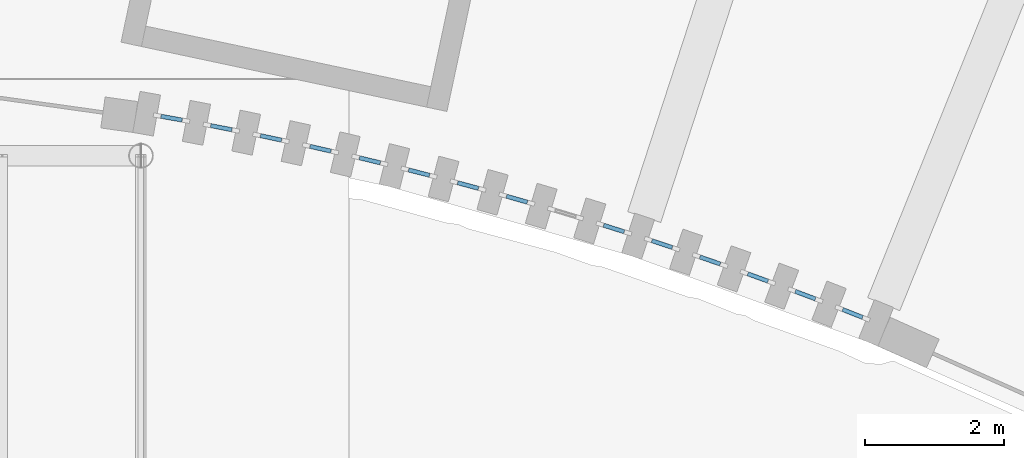
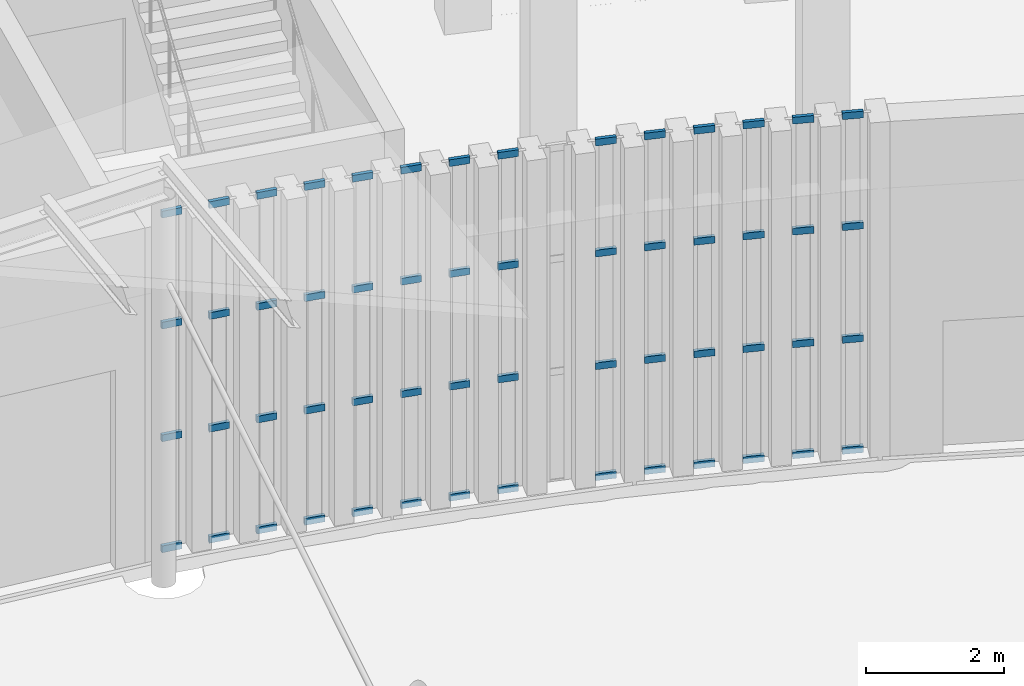
# One storey, part 68 of 155: 56 members, 14 elements without a shape of their own.
"""IFC4 building model written with IfcOpenShell, lengths in metres."""

from ifc_helpers import new_model, si_unit, direction, frame, origin, origin_2d, place, context, subcontext, project, spatial, rectangle, extrude, material, layer, layer_set, material_profile, profile_set, type_object, element, aggregate, save


model = new_model("IFC4")

# Units and contexts
model_context = context("Model", 3, precision=1e-05, world=origin(), true_north=direction((0.0, 1.0)))
body_context = subcontext(model_context, "Body", "Model", "MODEL_VIEW")
ifc_project = project(units=[si_unit("LENGTHUNIT", "METRE"), si_unit("AREAUNIT", "SQUARE_METRE"), si_unit("VOLUMEUNIT", "CUBIC_METRE"), si_unit("PLANEANGLEUNIT", "RADIAN"), si_unit("MASSUNIT", "GRAM", prefix="KILO")], contexts=[model_context])

# Site, building, storey
site_placement = place(None, origin())
site = spatial("IfcSite", under=ifc_project, at=site_placement, CompositionType="ELEMENT")
building_placement = place(site_placement, origin())
building = spatial("IfcBuilding", under=site, at=building_placement, Name="Lunette Opera House", CompositionType="ELEMENT")
storey_placement = place(building_placement, origin())
storey = spatial("IfcBuildingStorey", under=building, at=storey_placement, Name="L00", CompositionType="ELEMENT", Elevation=0.0)

# Curtain wall, members
ifc_material_1 = material(Name="Aluminium", Category="aluminium")
ifc_layer = layer(ifc_material_1, 0.1201171875)
ifc_layer_set = layer_set([ifc_layer], Name="Aluminium")
curtain_wall_type = type_object("IfcCurtainWallType", Name="SLOT CURTAIN WALL", PredefinedType="NOTDEFINED", material=ifc_layer_set)
curtain_wall_1_placement = place(storey_placement, origin())
curtain_wall_1 = element("IfcCurtainWall", 1, at=curtain_wall_1_placement, inside=storey, type_object=curtain_wall_type, Name="Slot Curtain Wall CS046 L00", PredefinedType="NOTDEFINED")
ifc_material_2 = material(Name="Aluminium", Category="aluminium")
ifc_material_profile = material_profile(ifc_material_2, rectangle(XDim=0.06005859375, YDim=0.1201171875, at=origin_2d()), Name="TRANSOM 60 X 120")
ifc_profile_set = profile_set([ifc_material_profile], Name="Aluminium")
member_type = type_object("IfcMemberType", Name="TRANSOM 60 X 120", PredefinedType="USERDEFINED", material=ifc_profile_set)
member_1_placement = place(storey_placement, frame((105.2880859375, 51.46826171875, 0.030029296875), z_axis=(0.983982796931, -0.178263443658, 0.0), x_axis=(0.178263443658, 0.983982796931, 0.0)))
member_1 = element("IfcMember", 2, at=member_1_placement, type_object=member_type, Name="FC-X2091 transom 1.1", ObjectType="TRANSOM", PredefinedType="USERDEFINED", context=body_context, shape_type="SweptSolid", body=[
    extrude(rectangle(XDim=0.06005859375, YDim=0.1201171875, at=origin_2d()), origin(), (0.0, 0.0, 1.0), 0.310791015625),
])
member_2_placement = place(storey_placement, frame((105.2880859375, 51.46826171875, 2.0), z_axis=(0.983982796931, -0.178263443658, 0.0), x_axis=(0.178263443658, 0.983982796931, 0.0)))
member_2 = element("IfcMember", 3, at=member_2_placement, type_object=member_type, Name="FC-X2091 transom 1.2", ObjectType="TRANSOM", PredefinedType="USERDEFINED", context=body_context, shape_type="SweptSolid", body=[
    extrude(rectangle(XDim=0.06005859375, YDim=0.1201171875, at=origin_2d()), origin(), (0.0, 0.0, 1.0), 0.310791015625),
])
member_3_placement = place(storey_placement, frame((105.2880859375, 51.46826171875, 4.0), z_axis=(0.983982796931, -0.178263443658, 0.0), x_axis=(0.178263443658, 0.983982796931, 0.0)))
member_3 = element("IfcMember", 4, at=member_3_placement, type_object=member_type, Name="FC-X2091 transom 1.3", ObjectType="TRANSOM", PredefinedType="USERDEFINED", context=body_context, shape_type="SweptSolid", body=[
    extrude(rectangle(XDim=0.06005859375, YDim=0.1201171875, at=origin_2d()), origin(), (0.0, 0.0, 1.0), 0.310791015625),
])
member_4_placement = place(storey_placement, frame((105.2880859375, 51.46826171875, 5.969970703125), z_axis=(0.983982796931, -0.178263443658, 0.0), x_axis=(0.178263443658, 0.983982796931, 0.0)))
member_4 = element("IfcMember", 5, at=member_4_placement, type_object=member_type, Name="FC-X2091 transom 1.4", ObjectType="TRANSOM", PredefinedType="USERDEFINED", context=body_context, shape_type="SweptSolid", body=[
    extrude(rectangle(XDim=0.06005859375, YDim=0.1201171875, at=origin_2d()), origin(), (0.0, 0.0, 1.0), 0.310791015625),
])
aggregate(curtain_wall_1, [member_1, member_2, member_3, member_4])

curtain_wall_2_placement = place(storey_placement, origin())
curtain_wall_2 = element("IfcCurtainWall", 6, at=curtain_wall_2_placement, inside=storey, type_object=curtain_wall_type, Name="Slot Curtain Wall CS047 L00", PredefinedType="NOTDEFINED")
member_5_placement = place(storey_placement, frame((106.005859375, 51.33349609375, 0.030029296875), z_axis=(0.981211567536, -0.192934858785, 0.0), x_axis=(0.192934858785, 0.981211567536, 0.0)))
member_5 = element("IfcMember", 7, at=member_5_placement, type_object=member_type, Name="FC-X2093 transom 1.1", ObjectType="TRANSOM", PredefinedType="USERDEFINED", context=body_context, shape_type="SweptSolid", body=[
    extrude(rectangle(XDim=0.06005859375, YDim=0.1201171875, at=origin_2d()), origin(), (0.0, 0.0, 1.0), 0.31005859375),
])
member_6_placement = place(storey_placement, frame((106.005859375, 51.33349609375, 2.0), z_axis=(0.981211567536, -0.192934858785, 0.0), x_axis=(0.192934858785, 0.981211567536, 0.0)))
member_6 = element("IfcMember", 8, at=member_6_placement, type_object=member_type, Name="FC-X2093 transom 1.2", ObjectType="TRANSOM", PredefinedType="USERDEFINED", context=body_context, shape_type="SweptSolid", body=[
    extrude(rectangle(XDim=0.06005859375, YDim=0.1201171875, at=origin_2d()), origin(), (0.0, 0.0, 1.0), 0.31005859375),
])
member_7_placement = place(storey_placement, frame((106.005859375, 51.33349609375, 4.0), z_axis=(0.981211567536, -0.192934858785, 0.0), x_axis=(0.192934858785, 0.981211567536, 0.0)))
member_7 = element("IfcMember", 9, at=member_7_placement, type_object=member_type, Name="FC-X2093 transom 1.3", ObjectType="TRANSOM", PredefinedType="USERDEFINED", context=body_context, shape_type="SweptSolid", body=[
    extrude(rectangle(XDim=0.06005859375, YDim=0.1201171875, at=origin_2d()), origin(), (0.0, 0.0, 1.0), 0.31005859375),
])
member_8_placement = place(storey_placement, frame((106.005859375, 51.33349609375, 5.969970703125), z_axis=(0.981211567536, -0.192934858785, 0.0), x_axis=(0.192934858785, 0.981211567536, 0.0)))
member_8 = element("IfcMember", 10, at=member_8_placement, type_object=member_type, Name="FC-X2093 transom 1.4", ObjectType="TRANSOM", PredefinedType="USERDEFINED", context=body_context, shape_type="SweptSolid", body=[
    extrude(rectangle(XDim=0.06005859375, YDim=0.1201171875, at=origin_2d()), origin(), (0.0, 0.0, 1.0), 0.31005859375),
])
aggregate(curtain_wall_2, [member_5, member_6, member_7, member_8])

curtain_wall_3_placement = place(storey_placement, origin())
curtain_wall_3 = element("IfcCurtainWall", 11, at=curtain_wall_3_placement, inside=storey, type_object=curtain_wall_type, Name="Slot Curtain Wall CS048 L00", PredefinedType="NOTDEFINED")
member_9_placement = place(storey_placement, frame((106.7216796875, 51.1884765625, 0.030029296875), z_axis=(0.978533089952, -0.206089766533, 0.0), x_axis=(0.206089766533, 0.978533089952, 0.0)))
member_9 = element("IfcMember", 12, at=member_9_placement, type_object=member_type, Name="FC-X2095 transom 1.1", ObjectType="TRANSOM", PredefinedType="USERDEFINED", context=body_context, shape_type="SweptSolid", body=[
    extrude(rectangle(XDim=0.06005859375, YDim=0.1201171875, at=origin_2d()), origin(), (0.0, 0.0, 1.0), 0.310302734375),
])
member_10_placement = place(storey_placement, frame((106.7216796875, 51.1884765625, 2.0), z_axis=(0.978533089952, -0.206089766533, 0.0), x_axis=(0.206089766533, 0.978533089952, 0.0)))
member_10 = element("IfcMember", 13, at=member_10_placement, type_object=member_type, Name="FC-X2095 transom 1.2", ObjectType="TRANSOM", PredefinedType="USERDEFINED", context=body_context, shape_type="SweptSolid", body=[
    extrude(rectangle(XDim=0.06005859375, YDim=0.1201171875, at=origin_2d()), origin(), (0.0, 0.0, 1.0), 0.310302734375),
])
member_11_placement = place(storey_placement, frame((106.7216796875, 51.1884765625, 4.0), z_axis=(0.978533089952, -0.206089766533, 0.0), x_axis=(0.206089766533, 0.978533089952, 0.0)))
member_11 = element("IfcMember", 14, at=member_11_placement, type_object=member_type, Name="FC-X2095 transom 1.3", ObjectType="TRANSOM", PredefinedType="USERDEFINED", context=body_context, shape_type="SweptSolid", body=[
    extrude(rectangle(XDim=0.06005859375, YDim=0.1201171875, at=origin_2d()), origin(), (0.0, 0.0, 1.0), 0.310302734375),
])
member_12_placement = place(storey_placement, frame((106.7216796875, 51.1884765625, 5.969970703125), z_axis=(0.978533089952, -0.206089766533, 0.0), x_axis=(0.206089766533, 0.978533089952, 0.0)))
member_12 = element("IfcMember", 15, at=member_12_placement, type_object=member_type, Name="FC-X2095 transom 1.4", ObjectType="TRANSOM", PredefinedType="USERDEFINED", context=body_context, shape_type="SweptSolid", body=[
    extrude(rectangle(XDim=0.06005859375, YDim=0.1201171875, at=origin_2d()), origin(), (0.0, 0.0, 1.0), 0.310302734375),
])
aggregate(curtain_wall_3, [member_9, member_10, member_11, member_12])

curtain_wall_4_placement = place(storey_placement, origin())
curtain_wall_4 = element("IfcCurtainWall", 16, at=curtain_wall_4_placement, inside=storey, type_object=curtain_wall_type, Name="Slot Curtain Wall CS049 L00", PredefinedType="NOTDEFINED")
member_13_placement = place(storey_placement, frame((107.435546875, 51.03466796875, 0.030029296875), z_axis=(0.974799972142, -0.223080734962, 0.0), x_axis=(0.223080734962, 0.974799972142, 0.0)))
member_13 = element("IfcMember", 17, at=member_13_placement, type_object=member_type, Name="FC-X2097 transom 1.1", ObjectType="TRANSOM", PredefinedType="USERDEFINED", context=body_context, shape_type="SweptSolid", body=[
    extrude(rectangle(XDim=0.06005859375, YDim=0.1201171875, at=origin_2d()), origin(), (0.0, 0.0, 1.0), 0.310791015625),
])
member_14_placement = place(storey_placement, frame((107.435546875, 51.03466796875, 2.0), z_axis=(0.974799972142, -0.223080734962, 0.0), x_axis=(0.223080734962, 0.974799972142, 0.0)))
member_14 = element("IfcMember", 18, at=member_14_placement, type_object=member_type, Name="FC-X2097 transom 1.2", ObjectType="TRANSOM", PredefinedType="USERDEFINED", context=body_context, shape_type="SweptSolid", body=[
    extrude(rectangle(XDim=0.06005859375, YDim=0.1201171875, at=origin_2d()), origin(), (0.0, 0.0, 1.0), 0.310791015625),
])
member_15_placement = place(storey_placement, frame((107.435546875, 51.03466796875, 4.0), z_axis=(0.974799972142, -0.223080734962, 0.0), x_axis=(0.223080734962, 0.974799972142, 0.0)))
member_15 = element("IfcMember", 19, at=member_15_placement, type_object=member_type, Name="FC-X2097 transom 1.3", ObjectType="TRANSOM", PredefinedType="USERDEFINED", context=body_context, shape_type="SweptSolid", body=[
    extrude(rectangle(XDim=0.06005859375, YDim=0.1201171875, at=origin_2d()), origin(), (0.0, 0.0, 1.0), 0.310791015625),
])
member_16_placement = place(storey_placement, frame((107.435546875, 51.03466796875, 5.969970703125), z_axis=(0.974799972142, -0.223080734962, 0.0), x_axis=(0.223080734962, 0.974799972142, 0.0)))
member_16 = element("IfcMember", 20, at=member_16_placement, type_object=member_type, Name="FC-X2097 transom 1.4", ObjectType="TRANSOM", PredefinedType="USERDEFINED", context=body_context, shape_type="SweptSolid", body=[
    extrude(rectangle(XDim=0.06005859375, YDim=0.1201171875, at=origin_2d()), origin(), (0.0, 0.0, 1.0), 0.310791015625),
])
aggregate(curtain_wall_4, [member_13, member_14, member_15, member_16])

curtain_wall_5_placement = place(storey_placement, origin())
curtain_wall_5 = element("IfcCurtainWall", 21, at=curtain_wall_5_placement, inside=storey, type_object=curtain_wall_type, Name="Slot Curtain Wall CS050 L00", PredefinedType="NOTDEFINED")
member_17_placement = place(storey_placement, frame((108.147216796875, 50.869873046875, 0.030029296875), z_axis=(0.972100778167, -0.234563588578, 0.0), x_axis=(0.234563588578, 0.972100778167, 0.0)))
member_17 = element("IfcMember", 22, at=member_17_placement, type_object=member_type, Name="FC-X2099 transom 1.1", ObjectType="TRANSOM", PredefinedType="USERDEFINED", context=body_context, shape_type="SweptSolid", body=[
    extrude(rectangle(XDim=0.06005859375, YDim=0.1201171875, at=origin_2d()), origin(), (0.0, 0.0, 1.0), 0.31005859375),
])
member_18_placement = place(storey_placement, frame((108.147216796875, 50.869873046875, 2.0), z_axis=(0.972100778167, -0.234563588578, 0.0), x_axis=(0.234563588578, 0.972100778167, 0.0)))
member_18 = element("IfcMember", 23, at=member_18_placement, type_object=member_type, Name="FC-X2099 transom 1.2", ObjectType="TRANSOM", PredefinedType="USERDEFINED", context=body_context, shape_type="SweptSolid", body=[
    extrude(rectangle(XDim=0.06005859375, YDim=0.1201171875, at=origin_2d()), origin(), (0.0, 0.0, 1.0), 0.31005859375),
])
member_19_placement = place(storey_placement, frame((108.147216796875, 50.869873046875, 4.0), z_axis=(0.972100778167, -0.234563588578, 0.0), x_axis=(0.234563588578, 0.972100778167, 0.0)))
member_19 = element("IfcMember", 24, at=member_19_placement, type_object=member_type, Name="FC-X2099 transom 1.3", ObjectType="TRANSOM", PredefinedType="USERDEFINED", context=body_context, shape_type="SweptSolid", body=[
    extrude(rectangle(XDim=0.06005859375, YDim=0.1201171875, at=origin_2d()), origin(), (0.0, 0.0, 1.0), 0.31005859375),
])
member_20_placement = place(storey_placement, frame((108.147216796875, 50.869873046875, 5.969970703125), z_axis=(0.972100778167, -0.234563588578, 0.0), x_axis=(0.234563588578, 0.972100778167, 0.0)))
member_20 = element("IfcMember", 25, at=member_20_placement, type_object=member_type, Name="FC-X2099 transom 1.4", ObjectType="TRANSOM", PredefinedType="USERDEFINED", context=body_context, shape_type="SweptSolid", body=[
    extrude(rectangle(XDim=0.06005859375, YDim=0.1201171875, at=origin_2d()), origin(), (0.0, 0.0, 1.0), 0.31005859375),
])
aggregate(curtain_wall_5, [member_17, member_18, member_19, member_20])

curtain_wall_6_placement = place(storey_placement, origin())
curtain_wall_6 = element("IfcCurtainWall", 26, at=curtain_wall_6_placement, inside=storey, type_object=curtain_wall_type, Name="Slot Curtain Wall CS051 L00", PredefinedType="NOTDEFINED")
member_21_placement = place(storey_placement, frame((108.856201171875, 50.695068359375, 0.030029296875), z_axis=(0.968644461796, -0.248451014552, 0.0), x_axis=(0.248451014552, 0.968644461796, 0.0)))
member_21 = element("IfcMember", 27, at=member_21_placement, type_object=member_type, Name="FC-X2101 transom 1.1", ObjectType="TRANSOM", PredefinedType="USERDEFINED", context=body_context, shape_type="SweptSolid", body=[
    extrude(rectangle(XDim=0.06005859375, YDim=0.1201171875, at=origin_2d()), origin(), (0.0, 0.0, 1.0), 0.310546875),
])
member_22_placement = place(storey_placement, frame((108.856201171875, 50.695068359375, 2.0), z_axis=(0.968644461796, -0.248451014552, 0.0), x_axis=(0.248451014552, 0.968644461796, 0.0)))
member_22 = element("IfcMember", 28, at=member_22_placement, type_object=member_type, Name="FC-X2101 transom 1.2", ObjectType="TRANSOM", PredefinedType="USERDEFINED", context=body_context, shape_type="SweptSolid", body=[
    extrude(rectangle(XDim=0.06005859375, YDim=0.1201171875, at=origin_2d()), origin(), (0.0, 0.0, 1.0), 0.310546875),
])
member_23_placement = place(storey_placement, frame((108.856201171875, 50.695068359375, 4.0), z_axis=(0.968644461796, -0.248451014552, 0.0), x_axis=(0.248451014552, 0.968644461796, 0.0)))
member_23 = element("IfcMember", 29, at=member_23_placement, type_object=member_type, Name="FC-X2101 transom 1.3", ObjectType="TRANSOM", PredefinedType="USERDEFINED", context=body_context, shape_type="SweptSolid", body=[
    extrude(rectangle(XDim=0.06005859375, YDim=0.1201171875, at=origin_2d()), origin(), (0.0, 0.0, 1.0), 0.310546875),
])
member_24_placement = place(storey_placement, frame((108.856201171875, 50.695068359375, 5.969970703125), z_axis=(0.968644461796, -0.248451014552, 0.0), x_axis=(0.248451014552, 0.968644461796, 0.0)))
member_24 = element("IfcMember", 30, at=member_24_placement, type_object=member_type, Name="FC-X2101 transom 1.4", ObjectType="TRANSOM", PredefinedType="USERDEFINED", context=body_context, shape_type="SweptSolid", body=[
    extrude(rectangle(XDim=0.06005859375, YDim=0.1201171875, at=origin_2d()), origin(), (0.0, 0.0, 1.0), 0.310546875),
])
aggregate(curtain_wall_6, [member_21, member_22, member_23, member_24])

curtain_wall_7_placement = place(storey_placement, origin())
curtain_wall_7 = element("IfcCurtainWall", 31, at=curtain_wall_7_placement, inside=storey, type_object=curtain_wall_type, Name="Slot Curtain Wall CS052 L00", PredefinedType="NOTDEFINED")
member_25_placement = place(storey_placement, frame((109.56298828125, 50.51025390625, 0.030029296875), z_axis=(0.965577695854, -0.260114807863, 0.0), x_axis=(0.260114807863, 0.965577695854, 0.0)))
member_25 = element("IfcMember", 32, at=member_25_placement, type_object=member_type, Name="FC-X2103 transom 1.1", ObjectType="TRANSOM", PredefinedType="USERDEFINED", context=body_context, shape_type="SweptSolid", body=[
    extrude(rectangle(XDim=0.06005859375, YDim=0.1201171875, at=origin_2d()), origin(), (0.0, 0.0, 1.0), 0.309814453125),
])
member_26_placement = place(storey_placement, frame((109.56298828125, 50.51025390625, 2.0), z_axis=(0.965577695854, -0.260114807863, 0.0), x_axis=(0.260114807863, 0.965577695854, 0.0)))
member_26 = element("IfcMember", 33, at=member_26_placement, type_object=member_type, Name="FC-X2103 transom 1.2", ObjectType="TRANSOM", PredefinedType="USERDEFINED", context=body_context, shape_type="SweptSolid", body=[
    extrude(rectangle(XDim=0.06005859375, YDim=0.1201171875, at=origin_2d()), origin(), (0.0, 0.0, 1.0), 0.309814453125),
])
member_27_placement = place(storey_placement, frame((109.56298828125, 50.51025390625, 4.0), z_axis=(0.965577695854, -0.260114807863, 0.0), x_axis=(0.260114807863, 0.965577695854, 0.0)))
member_27 = element("IfcMember", 34, at=member_27_placement, type_object=member_type, Name="FC-X2103 transom 1.3", ObjectType="TRANSOM", PredefinedType="USERDEFINED", context=body_context, shape_type="SweptSolid", body=[
    extrude(rectangle(XDim=0.06005859375, YDim=0.1201171875, at=origin_2d()), origin(), (0.0, 0.0, 1.0), 0.309814453125),
])
member_28_placement = place(storey_placement, frame((109.56298828125, 50.51025390625, 5.969970703125), z_axis=(0.965577695854, -0.260114807863, 0.0), x_axis=(0.260114807863, 0.965577695854, 0.0)))
member_28 = element("IfcMember", 35, at=member_28_placement, type_object=member_type, Name="FC-X2103 transom 1.4", ObjectType="TRANSOM", PredefinedType="USERDEFINED", context=body_context, shape_type="SweptSolid", body=[
    extrude(rectangle(XDim=0.06005859375, YDim=0.1201171875, at=origin_2d()), origin(), (0.0, 0.0, 1.0), 0.309814453125),
])
aggregate(curtain_wall_7, [member_25, member_26, member_27, member_28])

curtain_wall_8_placement = place(storey_placement, origin())
curtain_wall_8 = element("IfcCurtainWall", 36, at=curtain_wall_8_placement, inside=storey, type_object=curtain_wall_type, Name="Slot Curtain Wall CS053 L00", PredefinedType="NOTDEFINED")
member_29_placement = place(storey_placement, frame((110.2666015625, 50.31640625, 0.030029296875), z_axis=(0.96104845095, -0.276379946679, 0.0), x_axis=(0.276379946679, 0.96104845095, 0.0)))
member_29 = element("IfcMember", 37, at=member_29_placement, type_object=member_type, Name="FC-X2105 transom 1.1", ObjectType="TRANSOM", PredefinedType="USERDEFINED", context=body_context, shape_type="SweptSolid", body=[
    extrude(rectangle(XDim=0.06005859375, YDim=0.1201171875, at=origin_2d()), origin(), (0.0, 0.0, 1.0), 0.31103515625),
])
member_30_placement = place(storey_placement, frame((110.2666015625, 50.31640625, 2.0), z_axis=(0.96104845095, -0.276379946679, 0.0), x_axis=(0.276379946679, 0.96104845095, 0.0)))
member_30 = element("IfcMember", 38, at=member_30_placement, type_object=member_type, Name="FC-X2105 transom 1.2", ObjectType="TRANSOM", PredefinedType="USERDEFINED", context=body_context, shape_type="SweptSolid", body=[
    extrude(rectangle(XDim=0.06005859375, YDim=0.1201171875, at=origin_2d()), origin(), (0.0, 0.0, 1.0), 0.31103515625),
])
member_31_placement = place(storey_placement, frame((110.2666015625, 50.31640625, 4.0), z_axis=(0.96104845095, -0.276379946679, 0.0), x_axis=(0.276379946679, 0.96104845095, 0.0)))
member_31 = element("IfcMember", 39, at=member_31_placement, type_object=member_type, Name="FC-X2105 transom 1.3", ObjectType="TRANSOM", PredefinedType="USERDEFINED", context=body_context, shape_type="SweptSolid", body=[
    extrude(rectangle(XDim=0.06005859375, YDim=0.1201171875, at=origin_2d()), origin(), (0.0, 0.0, 1.0), 0.31103515625),
])
member_32_placement = place(storey_placement, frame((110.2666015625, 50.31640625, 5.969970703125), z_axis=(0.96104845095, -0.276379946679, 0.0), x_axis=(0.276379946679, 0.96104845095, 0.0)))
member_32 = element("IfcMember", 40, at=member_32_placement, type_object=member_type, Name="FC-X2105 transom 1.4", ObjectType="TRANSOM", PredefinedType="USERDEFINED", context=body_context, shape_type="SweptSolid", body=[
    extrude(rectangle(XDim=0.06005859375, YDim=0.1201171875, at=origin_2d()), origin(), (0.0, 0.0, 1.0), 0.31103515625),
])
aggregate(curtain_wall_8, [member_29, member_30, member_31, member_32])

curtain_wall_9_placement = place(storey_placement, origin())
curtain_wall_9 = element("IfcCurtainWall", 41, at=curtain_wall_9_placement, inside=storey, type_object=curtain_wall_type, Name="Slot Curtain Wall CS055 L00", PredefinedType="NOTDEFINED")
member_33_placement = place(storey_placement, frame((111.666259765625, 49.89794921875, 0.030029296875), z_axis=(0.953225106294, -0.302261305381, 0.0), x_axis=(0.302261305381, 0.953225106294, 0.0)))
member_33 = element("IfcMember", 42, at=member_33_placement, type_object=member_type, Name="FC-X2109 transom 1.1", ObjectType="TRANSOM", PredefinedType="USERDEFINED", context=body_context, shape_type="SweptSolid", body=[
    extrude(rectangle(XDim=0.06005859375, YDim=0.1201171875, at=origin_2d()), origin(), (0.0, 0.0, 1.0), 0.31005859375),
])
member_34_placement = place(storey_placement, frame((111.666259765625, 49.89794921875, 2.0), z_axis=(0.953225106294, -0.302261305381, 0.0), x_axis=(0.302261305381, 0.953225106294, 0.0)))
member_34 = element("IfcMember", 43, at=member_34_placement, type_object=member_type, Name="FC-X2109 transom 1.2", ObjectType="TRANSOM", PredefinedType="USERDEFINED", context=body_context, shape_type="SweptSolid", body=[
    extrude(rectangle(XDim=0.06005859375, YDim=0.1201171875, at=origin_2d()), origin(), (0.0, 0.0, 1.0), 0.31005859375),
])
member_35_placement = place(storey_placement, frame((111.666259765625, 49.89794921875, 4.0), z_axis=(0.953225106294, -0.302261305381, 0.0), x_axis=(0.302261305381, 0.953225106294, 0.0)))
member_35 = element("IfcMember", 44, at=member_35_placement, type_object=member_type, Name="FC-X2109 transom 1.3", ObjectType="TRANSOM", PredefinedType="USERDEFINED", context=body_context, shape_type="SweptSolid", body=[
    extrude(rectangle(XDim=0.06005859375, YDim=0.1201171875, at=origin_2d()), origin(), (0.0, 0.0, 1.0), 0.31005859375),
])
member_36_placement = place(storey_placement, frame((111.666259765625, 49.89794921875, 5.969970703125), z_axis=(0.953225106294, -0.302261305381, 0.0), x_axis=(0.302261305381, 0.953225106294, 0.0)))
member_36 = element("IfcMember", 45, at=member_36_placement, type_object=member_type, Name="FC-X2109 transom 1.4", ObjectType="TRANSOM", PredefinedType="USERDEFINED", context=body_context, shape_type="SweptSolid", body=[
    extrude(rectangle(XDim=0.06005859375, YDim=0.1201171875, at=origin_2d()), origin(), (0.0, 0.0, 1.0), 0.31005859375),
])
aggregate(curtain_wall_9, [member_33, member_34, member_35, member_36])

curtain_wall_10_placement = place(storey_placement, origin())
curtain_wall_10 = element("IfcCurtainWall", 46, at=curtain_wall_10_placement, inside=storey, type_object=curtain_wall_type, Name="Slot Curtain Wall CS056 L00", PredefinedType="NOTDEFINED")
member_37_placement = place(storey_placement, frame((112.36083984375, 49.675048828125, 0.030029296875), z_axis=(0.948604546286, -0.316463923325, 0.0), x_axis=(0.316463923325, 0.948604546286, 0.0)))
member_37 = element("IfcMember", 47, at=member_37_placement, type_object=member_type, Name="FC-X2111 transom 1.1", ObjectType="TRANSOM", PredefinedType="USERDEFINED", context=body_context, shape_type="SweptSolid", body=[
    extrude(rectangle(XDim=0.06005859375, YDim=0.1201171875, at=origin_2d()), origin(), (0.0, 0.0, 1.0), 0.31005859375),
])
member_38_placement = place(storey_placement, frame((112.36083984375, 49.675048828125, 2.0), z_axis=(0.948604546286, -0.316463923325, 0.0), x_axis=(0.316463923325, 0.948604546286, 0.0)))
member_38 = element("IfcMember", 48, at=member_38_placement, type_object=member_type, Name="FC-X2111 transom 1.2", ObjectType="TRANSOM", PredefinedType="USERDEFINED", context=body_context, shape_type="SweptSolid", body=[
    extrude(rectangle(XDim=0.06005859375, YDim=0.1201171875, at=origin_2d()), origin(), (0.0, 0.0, 1.0), 0.31005859375),
])
member_39_placement = place(storey_placement, frame((112.36083984375, 49.675048828125, 4.0), z_axis=(0.948604546286, -0.316463923325, 0.0), x_axis=(0.316463923325, 0.948604546286, 0.0)))
member_39 = element("IfcMember", 49, at=member_39_placement, type_object=member_type, Name="FC-X2111 transom 1.3", ObjectType="TRANSOM", PredefinedType="USERDEFINED", context=body_context, shape_type="SweptSolid", body=[
    extrude(rectangle(XDim=0.06005859375, YDim=0.1201171875, at=origin_2d()), origin(), (0.0, 0.0, 1.0), 0.31005859375),
])
member_40_placement = place(storey_placement, frame((112.36083984375, 49.675048828125, 5.969970703125), z_axis=(0.948604546286, -0.316463923325, 0.0), x_axis=(0.316463923325, 0.948604546286, 0.0)))
member_40 = element("IfcMember", 50, at=member_40_placement, type_object=member_type, Name="FC-X2111 transom 1.4", ObjectType="TRANSOM", PredefinedType="USERDEFINED", context=body_context, shape_type="SweptSolid", body=[
    extrude(rectangle(XDim=0.06005859375, YDim=0.1201171875, at=origin_2d()), origin(), (0.0, 0.0, 1.0), 0.31005859375),
])
aggregate(curtain_wall_10, [member_37, member_38, member_39, member_40])

curtain_wall_11_placement = place(storey_placement, origin())
curtain_wall_11 = element("IfcCurtainWall", 51, at=curtain_wall_11_placement, inside=storey, type_object=curtain_wall_type, Name="Slot Curtain Wall CS057 L00", PredefinedType="NOTDEFINED")
member_41_placement = place(storey_placement, frame((113.052734375, 49.44140625, 0.030029296875), z_axis=(0.944761579041, -0.327758384742, 0.0), x_axis=(0.327758384742, 0.944761579041, 0.0)))
member_41 = element("IfcMember", 52, at=member_41_placement, type_object=member_type, Name="FC-X2113 transom 1.1", ObjectType="TRANSOM", PredefinedType="USERDEFINED", context=body_context, shape_type="SweptSolid", body=[
    extrude(rectangle(XDim=0.06005859375, YDim=0.1201171875, at=origin_2d()), origin(), (0.0, 0.0, 1.0), 0.310546875),
])
member_42_placement = place(storey_placement, frame((113.052734375, 49.44140625, 2.0), z_axis=(0.944761579041, -0.327758384742, 0.0), x_axis=(0.327758384742, 0.944761579041, 0.0)))
member_42 = element("IfcMember", 53, at=member_42_placement, type_object=member_type, Name="FC-X2113 transom 1.2", ObjectType="TRANSOM", PredefinedType="USERDEFINED", context=body_context, shape_type="SweptSolid", body=[
    extrude(rectangle(XDim=0.06005859375, YDim=0.1201171875, at=origin_2d()), origin(), (0.0, 0.0, 1.0), 0.310546875),
])
member_43_placement = place(storey_placement, frame((113.052734375, 49.44140625, 4.0), z_axis=(0.944761579041, -0.327758384742, 0.0), x_axis=(0.327758384742, 0.944761579041, 0.0)))
member_43 = element("IfcMember", 54, at=member_43_placement, type_object=member_type, Name="FC-X2113 transom 1.3", ObjectType="TRANSOM", PredefinedType="USERDEFINED", context=body_context, shape_type="SweptSolid", body=[
    extrude(rectangle(XDim=0.06005859375, YDim=0.1201171875, at=origin_2d()), origin(), (0.0, 0.0, 1.0), 0.310546875),
])
member_44_placement = place(storey_placement, frame((113.052734375, 49.44140625, 5.969970703125), z_axis=(0.944761579041, -0.327758384742, 0.0), x_axis=(0.327758384742, 0.944761579041, 0.0)))
member_44 = element("IfcMember", 55, at=member_44_placement, type_object=member_type, Name="FC-X2113 transom 1.4", ObjectType="TRANSOM", PredefinedType="USERDEFINED", context=body_context, shape_type="SweptSolid", body=[
    extrude(rectangle(XDim=0.06005859375, YDim=0.1201171875, at=origin_2d()), origin(), (0.0, 0.0, 1.0), 0.310546875),
])
aggregate(curtain_wall_11, [member_41, member_42, member_43, member_44])

curtain_wall_12_placement = place(storey_placement, origin())
curtain_wall_12 = element("IfcCurtainWall", 56, at=curtain_wall_12_placement, inside=storey, type_object=curtain_wall_type, Name="Slot Curtain Wall CS058 L00", PredefinedType="NOTDEFINED")
member_45_placement = place(storey_placement, frame((113.741455078125, 49.198486328125, 0.030029296875), z_axis=(0.940114044895, -0.340860063062, 0.0), x_axis=(0.340860063062, 0.940114044895, 0.0)))
member_45 = element("IfcMember", 57, at=member_45_placement, type_object=member_type, Name="FC-X2115 transom 1.1", ObjectType="TRANSOM", PredefinedType="USERDEFINED", context=body_context, shape_type="SweptSolid", body=[
    extrude(rectangle(XDim=0.06005859375, YDim=0.1201171875, at=origin_2d()), origin(), (0.0, 0.0, 1.0), 0.310791015625),
])
member_46_placement = place(storey_placement, frame((113.741455078125, 49.198486328125, 2.0), z_axis=(0.940114044895, -0.340860063062, 0.0), x_axis=(0.340860063062, 0.940114044895, 0.0)))
member_46 = element("IfcMember", 58, at=member_46_placement, type_object=member_type, Name="FC-X2115 transom 1.2", ObjectType="TRANSOM", PredefinedType="USERDEFINED", context=body_context, shape_type="SweptSolid", body=[
    extrude(rectangle(XDim=0.06005859375, YDim=0.1201171875, at=origin_2d()), origin(), (0.0, 0.0, 1.0), 0.310791015625),
])
member_47_placement = place(storey_placement, frame((113.741455078125, 49.198486328125, 4.0), z_axis=(0.940114044895, -0.340860063062, 0.0), x_axis=(0.340860063062, 0.940114044895, 0.0)))
member_47 = element("IfcMember", 59, at=member_47_placement, type_object=member_type, Name="FC-X2115 transom 1.3", ObjectType="TRANSOM", PredefinedType="USERDEFINED", context=body_context, shape_type="SweptSolid", body=[
    extrude(rectangle(XDim=0.06005859375, YDim=0.1201171875, at=origin_2d()), origin(), (0.0, 0.0, 1.0), 0.310791015625),
])
member_48_placement = place(storey_placement, frame((113.741455078125, 49.198486328125, 5.969970703125), z_axis=(0.940114044895, -0.340860063062, 0.0), x_axis=(0.340860063062, 0.940114044895, 0.0)))
member_48 = element("IfcMember", 60, at=member_48_placement, type_object=member_type, Name="FC-X2115 transom 1.4", ObjectType="TRANSOM", PredefinedType="USERDEFINED", context=body_context, shape_type="SweptSolid", body=[
    extrude(rectangle(XDim=0.06005859375, YDim=0.1201171875, at=origin_2d()), origin(), (0.0, 0.0, 1.0), 0.310791015625),
])
aggregate(curtain_wall_12, [member_45, member_46, member_47, member_48])

curtain_wall_13_placement = place(storey_placement, origin())
curtain_wall_13 = element("IfcCurtainWall", 61, at=curtain_wall_13_placement, inside=storey, type_object=curtain_wall_type, Name="Slot Curtain Wall CS059 L00", PredefinedType="NOTDEFINED")
member_49_placement = place(storey_placement, frame((114.427001953125, 48.94580078125, 0.030029296875), z_axis=(0.935321497524, -0.353798948937, 0.0), x_axis=(0.353798948937, 0.935321497524, 0.0)))
member_49 = element("IfcMember", 62, at=member_49_placement, type_object=member_type, Name="FC-X2117 transom 1.1", ObjectType="TRANSOM", PredefinedType="USERDEFINED", context=body_context, shape_type="SweptSolid", body=[
    extrude(rectangle(XDim=0.06005859375, YDim=0.1201171875, at=origin_2d()), origin(), (0.0, 0.0, 1.0), 0.309814453125),
])
member_50_placement = place(storey_placement, frame((114.427001953125, 48.94580078125, 2.0), z_axis=(0.935321497524, -0.353798948937, 0.0), x_axis=(0.353798948937, 0.935321497524, 0.0)))
member_50 = element("IfcMember", 63, at=member_50_placement, type_object=member_type, Name="FC-X2117 transom 1.2", ObjectType="TRANSOM", PredefinedType="USERDEFINED", context=body_context, shape_type="SweptSolid", body=[
    extrude(rectangle(XDim=0.06005859375, YDim=0.1201171875, at=origin_2d()), origin(), (0.0, 0.0, 1.0), 0.309814453125),
])
member_51_placement = place(storey_placement, frame((114.427001953125, 48.94580078125, 4.0), z_axis=(0.935321497524, -0.353798948937, 0.0), x_axis=(0.353798948937, 0.935321497524, 0.0)))
member_51 = element("IfcMember", 64, at=member_51_placement, type_object=member_type, Name="FC-X2117 transom 1.3", ObjectType="TRANSOM", PredefinedType="USERDEFINED", context=body_context, shape_type="SweptSolid", body=[
    extrude(rectangle(XDim=0.06005859375, YDim=0.1201171875, at=origin_2d()), origin(), (0.0, 0.0, 1.0), 0.309814453125),
])
member_52_placement = place(storey_placement, frame((114.427001953125, 48.94580078125, 5.969970703125), z_axis=(0.935321497524, -0.353798948937, 0.0), x_axis=(0.353798948937, 0.935321497524, 0.0)))
member_52 = element("IfcMember", 65, at=member_52_placement, type_object=member_type, Name="FC-X2117 transom 1.4", ObjectType="TRANSOM", PredefinedType="USERDEFINED", context=body_context, shape_type="SweptSolid", body=[
    extrude(rectangle(XDim=0.06005859375, YDim=0.1201171875, at=origin_2d()), origin(), (0.0, 0.0, 1.0), 0.309814453125),
])
aggregate(curtain_wall_13, [member_49, member_50, member_51, member_52])

curtain_wall_14_placement = place(storey_placement, origin())
curtain_wall_14 = element("IfcCurtainWall", 66, at=curtain_wall_14_placement, inside=storey, type_object=curtain_wall_type, Name="Slot Curtain Wall CS060 L00", PredefinedType="NOTDEFINED")
member_53_placement = place(storey_placement, frame((115.10888671875, 48.683837890625, 0.030029296875), z_axis=(0.93020476491, -0.367040999533, 0.0), x_axis=(0.367040999533, 0.93020476491, 0.0)))
member_53 = element("IfcMember", 67, at=member_53_placement, type_object=member_type, Name="FC-X2119 transom 1.1", ObjectType="TRANSOM", PredefinedType="USERDEFINED", context=body_context, shape_type="SweptSolid", body=[
    extrude(rectangle(XDim=0.06005859375, YDim=0.1201171875, at=origin_2d()), origin(), (0.0, 0.0, 1.0), 0.31005859375),
])
member_54_placement = place(storey_placement, frame((115.10888671875, 48.683837890625, 2.0), z_axis=(0.93020476491, -0.367040999533, 0.0), x_axis=(0.367040999533, 0.93020476491, 0.0)))
member_54 = element("IfcMember", 68, at=member_54_placement, type_object=member_type, Name="FC-X2119 transom 1.2", ObjectType="TRANSOM", PredefinedType="USERDEFINED", context=body_context, shape_type="SweptSolid", body=[
    extrude(rectangle(XDim=0.06005859375, YDim=0.1201171875, at=origin_2d()), origin(), (0.0, 0.0, 1.0), 0.31005859375),
])
member_55_placement = place(storey_placement, frame((115.10888671875, 48.683837890625, 4.0), z_axis=(0.93020476491, -0.367040999533, 0.0), x_axis=(0.367040999533, 0.93020476491, 0.0)))
member_55 = element("IfcMember", 69, at=member_55_placement, type_object=member_type, Name="FC-X2119 transom 1.3", ObjectType="TRANSOM", PredefinedType="USERDEFINED", context=body_context, shape_type="SweptSolid", body=[
    extrude(rectangle(XDim=0.06005859375, YDim=0.1201171875, at=origin_2d()), origin(), (0.0, 0.0, 1.0), 0.31005859375),
])
member_56_placement = place(storey_placement, frame((115.10888671875, 48.683837890625, 5.969970703125), z_axis=(0.93020476491, -0.367040999533, 0.0), x_axis=(0.367040999533, 0.93020476491, 0.0)))
member_56 = element("IfcMember", 70, at=member_56_placement, type_object=member_type, Name="FC-X2119 transom 1.4", ObjectType="TRANSOM", PredefinedType="USERDEFINED", context=body_context, shape_type="SweptSolid", body=[
    extrude(rectangle(XDim=0.06005859375, YDim=0.1201171875, at=origin_2d()), origin(), (0.0, 0.0, 1.0), 0.31005859375),
])
aggregate(curtain_wall_14, [member_53, member_54, member_55, member_56])

save(model, "model.ifc")
